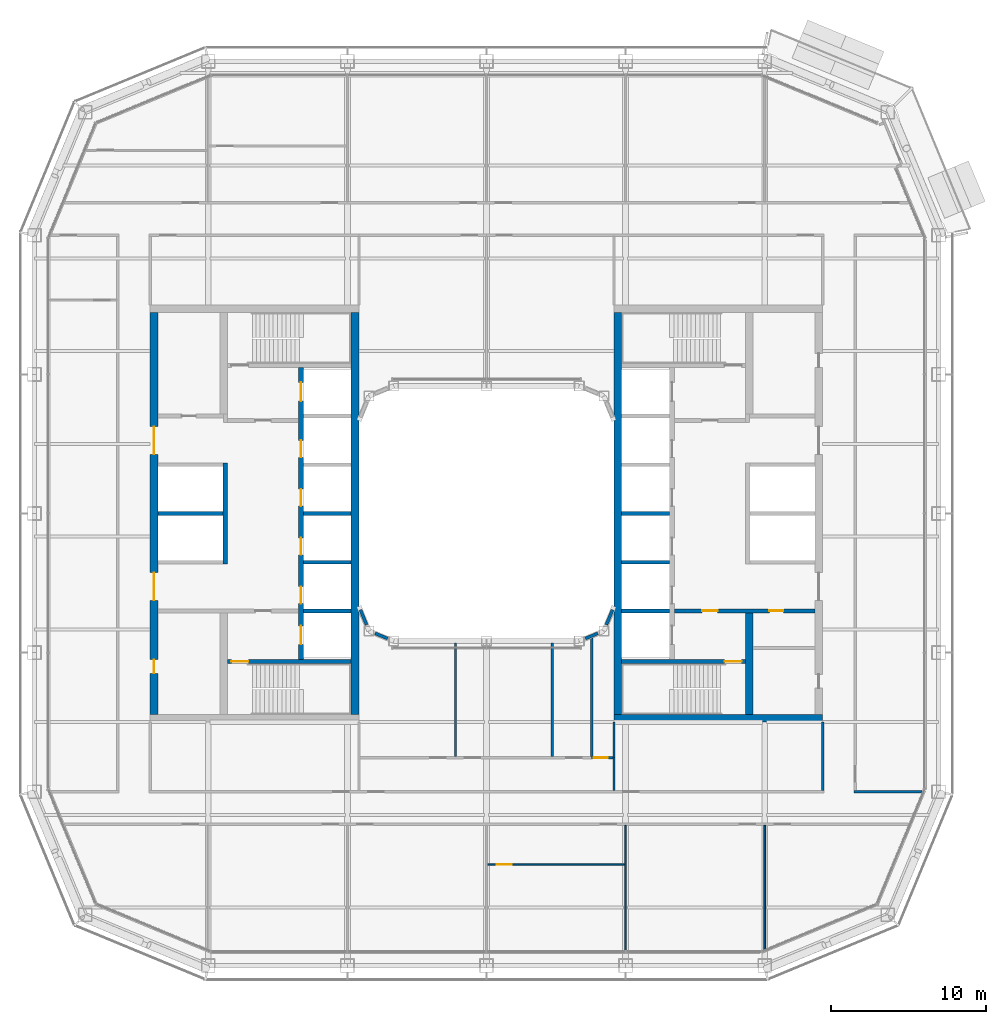
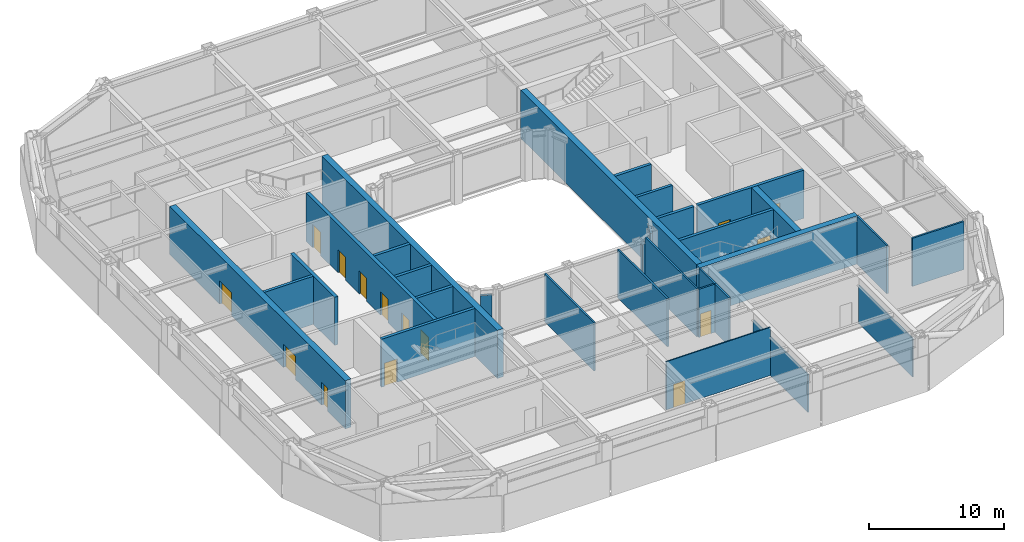
# One storey, part 12 of 23: 32 walls, 15 doors, 15 openings.
"""IFC4 building model written with IfcOpenShell, lengths in metres."""

from ifc_helpers import new_model, si_unit, direction, frame, frame_2d, origin, place, context, subcontext, project, spatial, rectangle, extrude, material, layer, layer_set, type_object, element, fill, save


model = new_model("IFC4")

# Units and contexts
model_context = context("Model", 3, precision=1e-05, world=origin(), true_north=direction((0.0, 1.0)))
body_context = subcontext(model_context, "Body", "Model", "MODEL_VIEW")
ifc_project = project(units=[si_unit("LENGTHUNIT", "METRE"), si_unit("AREAUNIT", "SQUARE_METRE"), si_unit("VOLUMEUNIT", "CUBIC_METRE"), si_unit("PLANEANGLEUNIT", "RADIAN"), si_unit("MASSUNIT", "GRAM", prefix="KILO")], contexts=[model_context])

# Site, building, storey
site_placement = place(None, origin())
site = spatial("IfcSite", under=ifc_project, at=site_placement, CompositionType="ELEMENT")
building_placement = place(site_placement, origin())
building = spatial("IfcBuilding", under=site, at=building_placement, Name="Siwar Civic Tower", CompositionType="ELEMENT")
storey_placement = place(building_placement, frame((0.0, 0.0, 167.699951171875)))
storey = spatial("IfcBuildingStorey", under=building, at=storey_placement, Name="L36", CompositionType="ELEMENT", Elevation=167.699951171875)

# Wall, opening, door
ifc_material_1 = material(Name="Gypsum board on steel studs", Category="steel")
ifc_layer_1 = layer(ifc_material_1, 0.14990234375)
ifc_layer_set_1 = layer_set([ifc_layer_1], Name="Gypsum board on steel studs")
wall_type_1 = type_object("IfcWallType", Name="COMPARTMENT PARTITION 150 EI 60", PredefinedType="PARTITIONING", material=ifc_layer_set_1)
wall_1_placement = place(storey_placement, frame((6.800048828125, -15.800048828125, 0.0), z_axis=(0.0, 0.0, 1.0), x_axis=(1.0, 0.0, 0.0)))
wall_1 = element("IfcWall", 1, at=wall_1_placement, inside=storey, type_object=wall_type_1, Name="L36/wall/P07", PredefinedType="PARTITIONING", context=body_context, shape_type="SweptSolid", body=[
    extrude(rectangle(XDim=1.375, YDim=0.14990234375, at=frame_2d((0.6875, 0.0))), origin(), (0.0, 0.0, 1.0), 4.35009765625),
])
opening_1_placement = place(wall_1_placement, frame((0.14990234375, 0.0, 0.0)))
opening_1 = element("IfcOpeningElement", 2, at=opening_1_placement, cuts=wall_1, Name="Opening D4", PredefinedType="OPENING", context=body_context, shape_type="SweptSolid", body=[
    extrude(rectangle(XDim=0.89990234375, YDim=2.10009765625, at=frame_2d((0.449951171875, 1.050048828125))), frame((0.0, 0.0849609375, 0.0), z_axis=(0.0, -1.0, 0.0), x_axis=(1.0, 0.0, 0.0)), (0.0, 0.0, 1.0), 0.169921875),
])
ifc_material_2 = material(Name="Timber, painted", Category="wood")
door_type_1 = type_object("IfcDoorType", Name="DOOR 900 X 2100 FD60", OperationType="SINGLE_SWING_LEFT", PredefinedType="DOOR", material=ifc_material_2)
door_1_placement = place(opening_1_placement, origin())
door_1 = element("IfcDoor", 3, at=door_1_placement, inside=storey, type_object=door_type_1, Name="L36-D22", OperationType="SINGLE_SWING_RIGHT", OverallHeight=2.10009765625, OverallWidth=0.89990234375, PredefinedType="DOOR", context=body_context, shape_type="SweptSolid", body=[
    extrude(rectangle(XDim=0.89990234375, YDim=2.10009765625, at=frame_2d((0.449951171875, 1.050048828125))), frame((0.0, 0.02490234375, 0.0), z_axis=(0.0, -1.0, 0.0), x_axis=(1.0, 0.0, 0.0)), (0.0, 0.0, 1.0), 0.050048828125),
])
fill(opening_1, door_1)

# Walls
wall_2_placement = place(storey_placement, frame((6.800048828125, -15.72509765625, 0.0), z_axis=(0.0, 0.0, 1.0), x_axis=(0.0, 1.0, 0.0)))
element("IfcWall", 4, at=wall_2_placement, inside=storey, type_object=wall_type_1, Name="L36/wall/P31", PredefinedType="PARTITIONING", context=body_context, shape_type="SweptSolid", body=[
    extrude(rectangle(XDim=7.656005859375, YDim=0.14990234375, at=frame_2d((3.828125, 0.0))), origin(), (0.0, 0.0, 1.0), 4.35009765625),
])
wall_3_placement = place(storey_placement, frame((8.25, -15.800048828125, 0.0), z_axis=(0.0, 0.0, 1.0), x_axis=(0.0, 1.0, 0.0)))
element("IfcWall", 5, at=wall_3_placement, inside=storey, type_object=wall_type_1, Name="L36/wall/P34", PredefinedType="PARTITIONING", context=body_context, shape_type="SweptSolid", body=[
    extrude(rectangle(XDim=2.300048828125, YDim=0.14990234375, at=frame_2d((1.14990234375, 0.0))), origin(), (0.0, 0.0, 1.0), 4.35009765625),
])
ifc_material_3 = material(Name="Concrete C60/75", Category="concrete")
ifc_layer_2 = layer(ifc_material_3, 0.25)
ifc_layer_set_2 = layer_set([ifc_layer_2], Name="Concrete C60/75")
wall_type_2 = type_object("IfcWallType", Name="CORE-WALL-RC250", PredefinedType="SHEAR", material=ifc_layer_set_2)
wall_4_placement = place(storey_placement, frame((-17.050048828125, 0.0, 0.0), z_axis=(0.0, 0.0, 1.0), x_axis=(-1.0, 0.0, 0.0)))
element("IfcWall", 6, at=wall_4_placement, inside=storey, type_object=wall_type_2, Name="Core wall W", PredefinedType="SHEAR", context=body_context, shape_type="SweptSolid", body=[
    extrude(rectangle(XDim=4.199951171875, YDim=0.25, at=frame_2d((2.10009765625, 0.0))), origin(), (0.0, 0.0, 1.0), 4.35009765625),
])
for number, where, z_axis, x_axis, name in (
    (7, (-8.75, 0.0, 0.0), (0.0, 0.0, 1.0), (-1.0, 0.0, 0.0), "Core wall W"),
    (8, (-8.75, -3.14990234375, 0.0), (0.0, 0.0, 1.0), (-1.0, 0.0, 0.0), "Core wall W"),
    (9, (-8.75, -6.300048828125, 0.0), (0.0, 0.0, 1.0), (-1.0, 0.0, 0.0), "Core wall W"),
):
    element("IfcWall", number, at=place(storey_placement, frame(where, z_axis=z_axis, x_axis=x_axis)), inside=storey, type_object=wall_type_2, Name=name, PredefinedType="SHEAR", context=body_context, shape_type="SweptSolid", body=[
        extrude(rectangle(XDim=3.10009765625, YDim=0.25, at=frame_2d((1.550048828125, 0.0))), origin(), (0.0, 0.0, 1.0), 4.35009765625),
    ])

# Wall, opening, door
wall_5_placement = place(storey_placement, frame((-8.75, -9.574951171875, 0.0), z_axis=(0.0, 0.0, 1.0), x_axis=(-1.0, 0.0, 0.0)))
wall_5 = element("IfcWall", 10, at=wall_5_placement, inside=storey, type_object=wall_type_2, Name="Core wall W", PredefinedType="SHEAR", context=body_context, shape_type="SweptSolid", body=[
    extrude(rectangle(XDim=8.0, YDim=0.25, at=frame_2d((4.0, 0.0))), origin(), (0.0, 0.0, 1.0), 4.35009765625),
])
opening_2_placement = place(wall_5_placement, frame((6.64990234375, 0.0, 0.0)))
opening_2 = element("IfcOpeningElement", 11, at=opening_2_placement, cuts=wall_5, Name="Opening L36-CW04", PredefinedType="OPENING", context=body_context, shape_type="SweptSolid", body=[
    extrude(rectangle(XDim=1.10009765625, YDim=2.10009765625, at=frame_2d((0.550048828125, 1.050048828125))), frame((0.0, 0.135009765625, 0.0), z_axis=(0.0, -1.0, 0.0), x_axis=(1.0, 0.0, 0.0)), (0.0, 0.0, 1.0), 0.27001953125),
])
ifc_material_4 = material(Name="Steel door leaf", Category="steel")
door_type_2 = type_object("IfcDoorType", Name="CORE-DOOR-FD60S", OperationType="SINGLE_SWING_LEFT", PredefinedType="DOOR", material=ifc_material_4)
door_2_placement = place(opening_2_placement, origin())
door_2 = element("IfcDoor", 12, at=door_2_placement, inside=storey, type_object=door_type_2, Name="Stair door L36-CW04", OperationType="SINGLE_SWING_LEFT", OverallHeight=2.10009765625, OverallWidth=1.10009765625, PredefinedType="DOOR", context=body_context, shape_type="SweptSolid", body=[
    extrude(rectangle(XDim=1.10009765625, YDim=2.10009765625, at=frame_2d((0.550048828125, 1.050048828125))), frame((0.0, 0.02490234375, 0.0), z_axis=(0.0, -1.0, 0.0), x_axis=(1.0, 0.0, 0.0)), (0.0, 0.0, 1.0), 0.050048828125),
])
fill(opening_2, door_2)

# Wall, openings, doors
wall_6_placement = place(storey_placement, frame((12.14990234375, -6.300048828125, 0.0), z_axis=(0.0, 0.0, 1.0), x_axis=(1.0, 0.0, 0.0)))
wall_6 = element("IfcWall", 13, at=wall_6_placement, inside=storey, type_object=wall_type_2, Name="Core wall E", PredefinedType="SHEAR", context=body_context, shape_type="SweptSolid", body=[
    extrude(rectangle(XDim=9.10009765625, YDim=0.25, at=frame_2d((4.550048828125, 0.0))), origin(), (0.0, 0.0, 1.0), 4.35009765625),
])
opening_3_placement = place(wall_6_placement, frame((1.800048828125, 0.0, 0.0)))
opening_3 = element("IfcOpeningElement", 14, at=opening_3_placement, cuts=wall_6, Name="Opening L36-CE02", PredefinedType="OPENING", context=body_context, shape_type="SweptSolid", body=[
    extrude(rectangle(XDim=1.0, YDim=2.10009765625, at=frame_2d((0.5, 1.050048828125))), frame((0.0, 0.135009765625, 0.0), z_axis=(0.0, -1.0, 0.0), x_axis=(1.0, 0.0, 0.0)), (0.0, 0.0, 1.0), 0.27001953125),
])
opening_4_placement = place(wall_6_placement, frame((6.14990234375, 0.0, 0.0)))
opening_4 = element("IfcOpeningElement", 15, at=opening_4_placement, cuts=wall_6, Name="Opening L36-CE14", PredefinedType="OPENING", context=body_context, shape_type="SweptSolid", body=[
    extrude(rectangle(XDim=0.89990234375, YDim=2.10009765625, at=frame_2d((0.449951171875, 1.050048828125))), frame((0.0, 0.135009765625, 0.0), z_axis=(0.0, -1.0, 0.0), x_axis=(1.0, 0.0, 0.0)), (0.0, 0.0, 1.0), 0.27001953125),
])
ifc_material_5 = material(Name="Steel door leaf", Category="steel")
door_type_3 = type_object("IfcDoorType", Name="CORE-DOOR-FD30S", OperationType="SINGLE_SWING_LEFT", PredefinedType="DOOR", material=ifc_material_5)
door_3_placement = place(opening_3_placement, origin())
door_3 = element("IfcDoor", 16, at=door_3_placement, inside=storey, type_object=door_type_3, Name="Service lobby door L36-CE02", OperationType="SINGLE_SWING_LEFT", OverallHeight=2.10009765625, OverallWidth=1.0, PredefinedType="DOOR", context=body_context, shape_type="SweptSolid", body=[
    extrude(rectangle(XDim=1.0, YDim=2.10009765625, at=frame_2d((0.5, 1.050048828125))), frame((0.0, 0.02490234375, 0.0), z_axis=(0.0, -1.0, 0.0), x_axis=(1.0, 0.0, 0.0)), (0.0, 0.0, 1.0), 0.050048828125),
])
fill(opening_3, door_3)
ifc_material_6 = material(Name="Steel door leaf", Category="steel")
door_type_4 = type_object("IfcDoorType", Name="CORE-DOOR-ROOM", OperationType="SINGLE_SWING_LEFT", PredefinedType="DOOR", material=ifc_material_6)
door_4_placement = place(opening_4_placement, origin())
door_4 = element("IfcDoor", 17, at=door_4_placement, inside=storey, type_object=door_type_4, Name="Core room door L36-CE14", OperationType="SINGLE_SWING_LEFT", OverallHeight=2.10009765625, OverallWidth=0.89990234375, PredefinedType="DOOR", context=body_context, shape_type="SweptSolid", body=[
    extrude(rectangle(XDim=0.89990234375, YDim=2.10009765625, at=frame_2d((0.449951171875, 1.050048828125))), frame((0.0, 0.02490234375, 0.0), z_axis=(0.0, -1.0, 0.0), x_axis=(1.0, 0.0, 0.0)), (0.0, 0.0, 1.0), 0.050048828125),
])
fill(opening_4, door_4)

# Walls
for number, where, z_axis, x_axis, name in (
    (18, (8.75, 0.0, 0.0), (0.0, 0.0, 1.0), (1.0, 0.0, 0.0), "Core wall E"),
    (19, (8.75, -3.14990234375, 0.0), (0.0, 0.0, 1.0), (1.0, 0.0, 0.0), "Core wall E"),
    (20, (8.75, -6.300048828125, 0.0), (0.0, 0.0, 1.0), (1.0, 0.0, 0.0), "Core wall E"),
):
    element("IfcWall", number, at=place(storey_placement, frame(where, z_axis=z_axis, x_axis=x_axis)), inside=storey, type_object=wall_type_2, Name=name, PredefinedType="SHEAR", context=body_context, shape_type="SweptSolid", body=[
        extrude(rectangle(XDim=3.10009765625, YDim=0.25, at=frame_2d((1.550048828125, 0.0))), origin(), (0.0, 0.0, 1.0), 4.35009765625),
    ])

# Wall, opening, door
wall_7_placement = place(storey_placement, frame((8.75, -9.574951171875, 0.0), z_axis=(0.0, 0.0, 1.0), x_axis=(1.0, 0.0, 0.0)))
wall_7 = element("IfcWall", 21, at=wall_7_placement, inside=storey, type_object=wall_type_2, Name="Core wall E", PredefinedType="SHEAR", context=body_context, shape_type="SweptSolid", body=[
    extrude(rectangle(XDim=8.0, YDim=0.25, at=frame_2d((4.0, 0.0))), origin(), (0.0, 0.0, 1.0), 4.35009765625),
])
opening_5_placement = place(wall_7_placement, frame((6.64990234375, 0.0, 0.0)))
opening_5 = element("IfcOpeningElement", 22, at=opening_5_placement, cuts=wall_7, Name="Opening L36-CE04", PredefinedType="OPENING", context=body_context, shape_type="SweptSolid", body=[
    extrude(rectangle(XDim=1.10009765625, YDim=2.10009765625, at=frame_2d((0.550048828125, 1.050048828125))), frame((0.0, 0.135009765625, 0.0), z_axis=(0.0, -1.0, 0.0), x_axis=(1.0, 0.0, 0.0)), (0.0, 0.0, 1.0), 0.27001953125),
])
door_5_placement = place(opening_5_placement, origin())
door_5 = element("IfcDoor", 23, at=door_5_placement, inside=storey, type_object=door_type_2, Name="Stair door L36-CE04", OperationType="SINGLE_SWING_RIGHT", OverallHeight=2.10009765625, OverallWidth=1.10009765625, PredefinedType="DOOR", context=body_context, shape_type="SweptSolid", body=[
    extrude(rectangle(XDim=1.10009765625, YDim=2.10009765625, at=frame_2d((0.550048828125, 1.050048828125))), frame((0.0, 0.02490234375, 0.0), z_axis=(0.0, -1.0, 0.0), x_axis=(1.0, 0.0, 0.0)), (0.0, 0.0, 1.0), 0.050048828125),
])
fill(opening_5, door_5)

# Wall, openings, doors
ifc_material_7 = material(Name="Concrete C60/75", Category="concrete")
ifc_layer_3 = layer(ifc_material_7, 0.300048828125)
ifc_layer_set_3 = layer_set([ifc_layer_3], Name="Concrete C60/75")
wall_type_3 = type_object("IfcWallType", Name="CORE-WALL-RC300", PredefinedType="SHEAR", material=ifc_layer_set_3)
wall_8_placement = place(storey_placement, frame((-12.0, -9.449951171875, 0.0), z_axis=(0.0, 0.0, 1.0), x_axis=(0.0, 1.0, 0.0)))
wall_8 = element("IfcWall", 24, at=wall_8_placement, inside=storey, type_object=wall_type_3, Name="Core wall W", PredefinedType="SHEAR", context=body_context, shape_type="SweptSolid", body=[
    extrude(rectangle(XDim=18.89990234375, YDim=0.300048828125, at=frame_2d((9.449951171875, 0.0))), origin(), (0.0, 0.0, 1.0), 4.35009765625),
])
opening_6_placement = place(wall_8_placement, frame((3.625, 0.0, 0.0)))
opening_6 = element("IfcOpeningElement", 25, at=opening_6_placement, cuts=wall_8, Name="Opening L36-CW07", PredefinedType="OPENING", context=body_context, shape_type="SweptSolid", body=[
    extrude(rectangle(XDim=1.10009765625, YDim=2.10009765625, at=frame_2d((0.550048828125, 1.050048828125))), frame((0.0, 0.16015625, 0.0), z_axis=(0.0, -1.0, 0.0), x_axis=(1.0, 0.0, 0.0)), (0.0, 0.0, 1.0), 0.320068359375),
])
opening_7_placement = place(wall_8_placement, frame((6.77490234375, 0.0, 0.0)))
opening_7 = element("IfcOpeningElement", 26, at=opening_7_placement, cuts=wall_8, Name="Opening L36-CW08", PredefinedType="OPENING", context=body_context, shape_type="SweptSolid", body=[
    extrude(rectangle(XDim=1.10009765625, YDim=2.10009765625, at=frame_2d((0.550048828125, 1.050048828125))), frame((0.0, 0.16015625, 0.0), z_axis=(0.0, -1.0, 0.0), x_axis=(1.0, 0.0, 0.0)), (0.0, 0.0, 1.0), 0.320068359375),
])
opening_8_placement = place(wall_8_placement, frame((9.925048828125, 0.0, 0.0)))
opening_8 = element("IfcOpeningElement", 27, at=opening_8_placement, cuts=wall_8, Name="Opening L36-CW09", PredefinedType="OPENING", context=body_context, shape_type="SweptSolid", body=[
    extrude(rectangle(XDim=1.10009765625, YDim=2.10009765625, at=frame_2d((0.550048828125, 1.050048828125))), frame((0.0, 0.16015625, 0.0), z_axis=(0.0, -1.0, 0.0), x_axis=(1.0, 0.0, 0.0)), (0.0, 0.0, 1.0), 0.320068359375),
])
opening_9_placement = place(wall_8_placement, frame((13.074951171875, 0.0, 0.0)))
opening_9 = element("IfcOpeningElement", 28, at=opening_9_placement, cuts=wall_8, Name="Opening L36-CW10", PredefinedType="OPENING", context=body_context, shape_type="SweptSolid", body=[
    extrude(rectangle(XDim=1.10009765625, YDim=2.10009765625, at=frame_2d((0.550048828125, 1.050048828125))), frame((0.0, 0.16015625, 0.0), z_axis=(0.0, -1.0, 0.0), x_axis=(1.0, 0.0, 0.0)), (0.0, 0.0, 1.0), 0.320068359375),
])
opening_10_placement = place(wall_8_placement, frame((16.72509765625, 0.0, 0.0)))
opening_10 = element("IfcOpeningElement", 29, at=opening_10_placement, cuts=wall_8, Name="Opening L36-CW11", PredefinedType="OPENING", context=body_context, shape_type="SweptSolid", body=[
    extrude(rectangle(XDim=1.199951171875, YDim=2.10009765625, at=frame_2d((0.60009765625, 1.050048828125))), frame((0.0, 0.16015625, 0.0), z_axis=(0.0, -1.0, 0.0), x_axis=(1.0, 0.0, 0.0)), (0.0, 0.0, 1.0), 0.320068359375),
])
opening_11_placement = place(wall_8_placement, frame((0.97509765625, 0.0, 0.0)))
opening_11 = element("IfcOpeningElement", 30, at=opening_11_placement, cuts=wall_8, Name="Opening L36-CW12", PredefinedType="OPENING", context=body_context, shape_type="SweptSolid", body=[
    extrude(rectangle(XDim=1.199951171875, YDim=2.10009765625, at=frame_2d((0.60009765625, 1.050048828125))), frame((0.0, 0.16015625, 0.0), z_axis=(0.0, -1.0, 0.0), x_axis=(1.0, 0.0, 0.0)), (0.0, 0.0, 1.0), 0.320068359375),
])
ifc_material_8 = material(Name="Steel door leaf", Category="steel")
door_type_5 = type_object("IfcDoorType", Name="CORE-DOOR-LD", OperationType="DOUBLE_DOOR_SLIDING", PredefinedType="DOOR", material=ifc_material_8)
door_6_placement = place(opening_6_placement, origin())
door_6 = element("IfcDoor", 31, at=door_6_placement, inside=storey, type_object=door_type_5, Name="Landing door LR1 L36-CW07", OperationType="DOUBLE_DOOR_SLIDING", OverallHeight=2.10009765625, OverallWidth=1.10009765625, PredefinedType="DOOR", context=body_context, shape_type="SweptSolid", body=[
    extrude(rectangle(XDim=1.10009765625, YDim=2.10009765625, at=frame_2d((0.550048828125, 1.050048828125))), frame((0.0, 0.02490234375, 0.0), z_axis=(0.0, -1.0, 0.0), x_axis=(1.0, 0.0, 0.0)), (0.0, 0.0, 1.0), 0.050048828125),
])
fill(opening_6, door_6)
door_7_placement = place(opening_7_placement, origin())
door_7 = element("IfcDoor", 32, at=door_7_placement, inside=storey, type_object=door_type_5, Name="Landing door LR2 L36-CW08", OperationType="DOUBLE_DOOR_SLIDING", OverallHeight=2.10009765625, OverallWidth=1.10009765625, PredefinedType="DOOR", context=body_context, shape_type="SweptSolid", body=[
    extrude(rectangle(XDim=1.10009765625, YDim=2.10009765625, at=frame_2d((0.550048828125, 1.050048828125))), frame((0.0, 0.02490234375, 0.0), z_axis=(0.0, -1.0, 0.0), x_axis=(1.0, 0.0, 0.0)), (0.0, 0.0, 1.0), 0.050048828125),
])
fill(opening_7, door_7)
door_8_placement = place(opening_8_placement, origin())
door_8 = element("IfcDoor", 33, at=door_8_placement, inside=storey, type_object=door_type_5, Name="Landing door LR3 L36-CW09", OperationType="DOUBLE_DOOR_SLIDING", OverallHeight=2.10009765625, OverallWidth=1.10009765625, PredefinedType="DOOR", context=body_context, shape_type="SweptSolid", body=[
    extrude(rectangle(XDim=1.10009765625, YDim=2.10009765625, at=frame_2d((0.550048828125, 1.050048828125))), frame((0.0, 0.02490234375, 0.0), z_axis=(0.0, -1.0, 0.0), x_axis=(1.0, 0.0, 0.0)), (0.0, 0.0, 1.0), 0.050048828125),
])
fill(opening_8, door_8)
door_9_placement = place(opening_9_placement, origin())
door_9 = element("IfcDoor", 34, at=door_9_placement, inside=storey, type_object=door_type_5, Name="Landing door LR4 L36-CW10", OperationType="DOUBLE_DOOR_SLIDING", OverallHeight=2.10009765625, OverallWidth=1.10009765625, PredefinedType="DOOR", context=body_context, shape_type="SweptSolid", body=[
    extrude(rectangle(XDim=1.10009765625, YDim=2.10009765625, at=frame_2d((0.550048828125, 1.050048828125))), frame((0.0, 0.02490234375, 0.0), z_axis=(0.0, -1.0, 0.0), x_axis=(1.0, 0.0, 0.0)), (0.0, 0.0, 1.0), 0.050048828125),
])
fill(opening_9, door_9)
ifc_material_9 = material(Name="Steel door leaf", Category="steel")
door_type_6 = type_object("IfcDoorType", Name="CORE-DOOR-LDW", OperationType="DOUBLE_DOOR_SLIDING", PredefinedType="DOOR", material=ifc_material_9)
door_10_placement = place(opening_10_placement, origin())
door_10 = element("IfcDoor", 35, at=door_10_placement, inside=storey, type_object=door_type_6, Name="Landing door FF1 L36-CW11", OperationType="DOUBLE_DOOR_SLIDING", OverallHeight=2.10009765625, OverallWidth=1.199951171875, PredefinedType="DOOR", context=body_context, shape_type="SweptSolid", body=[
    extrude(rectangle(XDim=1.199951171875, YDim=2.10009765625, at=frame_2d((0.60009765625, 1.050048828125))), frame((0.0, 0.02490234375, 0.0), z_axis=(0.0, -1.0, 0.0), x_axis=(1.0, 0.0, 0.0)), (0.0, 0.0, 1.0), 0.050048828125),
])
fill(opening_10, door_10)
door_11_placement = place(opening_11_placement, origin())
door_11 = element("IfcDoor", 36, at=door_11_placement, inside=storey, type_object=door_type_6, Name="Landing door SV1 L36-CW12", OperationType="DOUBLE_DOOR_SLIDING", OverallHeight=2.10009765625, OverallWidth=1.199951171875, PredefinedType="DOOR", context=body_context, shape_type="SweptSolid", body=[
    extrude(rectangle(XDim=1.199951171875, YDim=2.10009765625, at=frame_2d((0.60009765625, 1.050048828125))), frame((0.0, 0.02490234375, 0.0), z_axis=(0.0, -1.0, 0.0), x_axis=(1.0, 0.0, 0.0)), (0.0, 0.0, 1.0), 0.050048828125),
])
fill(opening_11, door_11)

# Wall
wall_9_placement = place(storey_placement, frame((-16.89990234375, -3.27490234375, 0.0), z_axis=(0.0, 0.0, 1.0), x_axis=(0.0, 1.0, 0.0)))
element("IfcWall", 37, at=wall_9_placement, inside=storey, type_object=wall_type_3, Name="Core wall W", PredefinedType="SHEAR", context=body_context, shape_type="SweptSolid", body=[
    extrude(rectangle(XDim=6.5498046875, YDim=0.300048828125, at=frame_2d((3.27490234375, 0.0))), origin(), (0.0, 0.0, 1.0), 4.35009765625),
])

# Wall, openings, doors
ifc_material_10 = material(Name="Concrete C60/75", Category="concrete")
ifc_layer_4 = layer(ifc_material_10, 0.5)
ifc_layer_set_4 = layer_set([ifc_layer_4], Name="Concrete C60/75")
wall_type_4 = type_object("IfcWallType", Name="CORE-WALL-RC500", PredefinedType="SHEAR", material=ifc_layer_set_4)
wall_10_placement = place(storey_placement, frame((-21.5, -13.0, 0.0), z_axis=(0.0, 0.0, 1.0), x_axis=(0.0, 1.0, 0.0)))
wall_10 = element("IfcWall", 38, at=wall_10_placement, inside=storey, type_object=wall_type_4, Name="Core wall W", PredefinedType="SHEAR", context=body_context, shape_type="SweptSolid", body=[
    extrude(rectangle(XDim=26.0, YDim=0.5, at=frame_2d((13.0, 0.0))), origin(), (0.0, 0.0, 1.0), 4.35009765625),
])
opening_12_placement = place(wall_10_placement, frame((16.824951171875, 0.0, 0.0)))
opening_12 = element("IfcOpeningElement", 39, at=opening_12_placement, cuts=wall_10, Name="Opening L36-CW05", PredefinedType="OPENING", context=body_context, shape_type="SweptSolid", body=[
    extrude(rectangle(XDim=1.800048828125, YDim=2.10009765625, at=frame_2d((0.89990234375, 1.050048828125))), frame((0.0, 0.260009765625, 0.0), z_axis=(0.0, -1.0, 0.0), x_axis=(1.0, 0.0, 0.0)), (0.0, 0.0, 1.0), 0.52001953125),
])
opening_13_placement = place(wall_10_placement, frame((7.375, 0.0, 0.0)))
opening_13 = element("IfcOpeningElement", 40, at=opening_13_placement, cuts=wall_10, Name="Opening L36-CW06", PredefinedType="OPENING", context=body_context, shape_type="SweptSolid", body=[
    extrude(rectangle(XDim=1.800048828125, YDim=2.10009765625, at=frame_2d((0.89990234375, 1.050048828125))), frame((0.0, 0.260009765625, 0.0), z_axis=(0.0, -1.0, 0.0), x_axis=(1.0, 0.0, 0.0)), (0.0, 0.0, 1.0), 0.52001953125),
])
opening_14_placement = place(wall_10_placement, frame((2.64990234375, 0.0, 0.0)))
opening_14 = element("IfcOpeningElement", 41, at=opening_14_placement, cuts=wall_10, Name="Opening L36-CW14", PredefinedType="OPENING", context=body_context, shape_type="SweptSolid", body=[
    extrude(rectangle(XDim=0.89990234375, YDim=2.10009765625, at=frame_2d((0.449951171875, 1.050048828125))), frame((0.0, 0.260009765625, 0.0), z_axis=(0.0, -1.0, 0.0), x_axis=(1.0, 0.0, 0.0)), (0.0, 0.0, 1.0), 0.52001953125),
])
ifc_material_11 = material(Name="Steel door leaf", Category="steel")
door_type_7 = type_object("IfcDoorType", Name="CORE-DOOR-PORT", OperationType="DOUBLE_DOOR_DOUBLE_SWING", PredefinedType="DOOR", material=ifc_material_11)
door_12_placement = place(opening_12_placement, origin())
door_12 = element("IfcDoor", 42, at=door_12_placement, inside=storey, type_object=door_type_7, Name="Core entrance door L36-CW05", OperationType="DOUBLE_DOOR_DOUBLE_SWING", OverallHeight=2.10009765625, OverallWidth=1.800048828125, PredefinedType="DOOR", context=body_context, shape_type="SweptSolid", body=[
    extrude(rectangle(XDim=1.800048828125, YDim=2.10009765625, at=frame_2d((0.89990234375, 1.050048828125))), frame((0.0, 0.02490234375, 0.0), z_axis=(0.0, -1.0, 0.0), x_axis=(1.0, 0.0, 0.0)), (0.0, 0.0, 1.0), 0.050048828125),
])
fill(opening_12, door_12)
door_13_placement = place(opening_13_placement, origin())
door_13 = element("IfcDoor", 43, at=door_13_placement, inside=storey, type_object=door_type_7, Name="Core entrance door L36-CW06", OperationType="DOUBLE_DOOR_DOUBLE_SWING", OverallHeight=2.10009765625, OverallWidth=1.800048828125, PredefinedType="DOOR", context=body_context, shape_type="SweptSolid", body=[
    extrude(rectangle(XDim=1.800048828125, YDim=2.10009765625, at=frame_2d((0.89990234375, 1.050048828125))), frame((0.0, 0.02490234375, 0.0), z_axis=(0.0, -1.0, 0.0), x_axis=(1.0, 0.0, 0.0)), (0.0, 0.0, 1.0), 0.050048828125),
])
fill(opening_13, door_13)
door_14_placement = place(opening_14_placement, origin())
door_14 = element("IfcDoor", 44, at=door_14_placement, inside=storey, type_object=door_type_4, Name="Core room door L36-CW14", OperationType="SINGLE_SWING_LEFT", OverallHeight=2.10009765625, OverallWidth=0.89990234375, PredefinedType="DOOR", context=body_context, shape_type="SweptSolid", body=[
    extrude(rectangle(XDim=0.89990234375, YDim=2.10009765625, at=frame_2d((0.449951171875, 1.050048828125))), frame((0.0, 0.02490234375, 0.0), z_axis=(0.0, -1.0, 0.0), x_axis=(1.0, 0.0, 0.0)), (0.0, 0.0, 1.0), 0.050048828125),
])
fill(opening_14, door_14)

# Walls
wall_11_placement = place(storey_placement, frame((17.0, -13.0, 0.0), z_axis=(0.0, 0.0, 1.0), x_axis=(0.0, 1.0, 0.0)))
element("IfcWall", 45, at=wall_11_placement, inside=storey, type_object=wall_type_4, Name="Core wall E", PredefinedType="SHEAR", context=body_context, shape_type="SweptSolid", body=[
    extrude(rectangle(XDim=6.574951171875, YDim=0.5, at=frame_2d((3.28759765625, 0.0))), origin(), (0.0, 0.0, 1.0), 4.35009765625),
])
wall_12_placement = place(storey_placement, frame((8.25, -13.25, 0.0), z_axis=(0.0, 0.0, 1.0), x_axis=(1.0, 0.0, 0.0)))
element("IfcWall", 46, at=wall_12_placement, inside=storey, type_object=wall_type_4, Name="Core wall E", PredefinedType="SHEAR", context=body_context, shape_type="SweptSolid", body=[
    extrude(rectangle(XDim=13.5, YDim=0.5, at=frame_2d((6.75, 0.0))), origin(), (0.0, 0.0, 1.0), 4.35009765625),
])
ifc_material_12 = material(Name="Concrete C60/75", Category="concrete")
ifc_layer_5 = layer(ifc_material_12, 0.5)
ifc_layer_set_5 = layer_set([ifc_layer_5], Name="Concrete C60/75")
wall_type_5 = type_object("IfcWallType", Name="CORE-WALL-RC500-EXT", PredefinedType="SHEAR", material=ifc_layer_set_5)
for number, where, z_axis, x_axis, name in (
    (47, (-8.5, -13.0, 0.0), (0.0, 0.0, 1.0), (0.0, 1.0, 0.0), "Core wall W"),
    (48, (8.5, -13.0, 0.0), (0.0, 0.0, 1.0), (0.0, 1.0, 0.0), "Core wall E"),
):
    element("IfcWall", number, at=place(storey_placement, frame(where, z_axis=z_axis, x_axis=x_axis)), inside=storey, type_object=wall_type_5, Name=name, PredefinedType="SHEAR", context=body_context, shape_type="SweptSolid", body=[
        extrude(rectangle(XDim=26.0, YDim=0.5, at=frame_2d((13.0, 0.0))), origin(), (0.0, 0.0, 1.0), 4.35009765625),
    ])
ifc_material_13 = material(Name="Gypsum board on steel studs", Category="steel")
ifc_layer_6 = layer(ifc_material_13, 0.14990234375)
ifc_layer_set_6 = layer_set([ifc_layer_6], Name="Gypsum board on steel studs")
wall_type_6 = type_object("IfcWallType", Name="CORRIDOR PARTITION 150 EI 30", PredefinedType="PARTITIONING", material=ifc_layer_set_6)
wall_13_placement = place(storey_placement, frame((23.77490234375, -18.0, 0.0), z_axis=(0.0, 0.0, 1.0), x_axis=(1.0, 0.0, 0.0)))
element("IfcWall", 49, at=wall_13_placement, inside=storey, type_object=wall_type_6, Name="L36/wall/P05", PredefinedType="PARTITIONING", context=body_context, shape_type="SweptSolid", body=[
    extrude(rectangle(XDim=4.403076171875, YDim=0.14990234375, at=frame_2d((2.20166015625, 0.0))), origin(), (0.0, 0.0, 1.0), 4.35009765625),
])
for number, where, z_axis, x_axis, name in (
    (50, (-2.0, -15.72509765625, 0.0), (0.0, 0.0, 1.0), (0.0, 1.0, 0.0), "L36/wall/P26"),
    (51, (4.25, -15.72509765625, 0.0), (0.0, 0.0, 1.0), (0.0, 1.0, 0.0), "L36/wall/P30"),
):
    element("IfcWall", number, at=place(storey_placement, frame(where, z_axis=z_axis, x_axis=x_axis)), inside=storey, type_object=wall_type_6, Name=name, PredefinedType="PARTITIONING", context=body_context, shape_type="SweptSolid", body=[
        extrude(rectangle(XDim=7.35498046875, YDim=0.14990234375, at=frame_2d((3.677490234375, 0.0))), origin(), (0.0, 0.0, 1.0), 4.35009765625),
    ])
wall_14_placement = place(storey_placement, frame((8.25, -17.925048828125, 0.0), z_axis=(0.0, 0.0, 1.0), x_axis=(0.0, 1.0, 0.0)))
element("IfcWall", 52, at=wall_14_placement, inside=storey, type_object=wall_type_6, Name="L36/wall/P33", PredefinedType="PARTITIONING", context=body_context, shape_type="SweptSolid", body=[
    extrude(rectangle(XDim=2.125, YDim=0.14990234375, at=frame_2d((1.0625, 0.0))), origin(), (0.0, 0.0, 1.0), 4.35009765625),
])
wall_15_placement = place(storey_placement, frame((21.75, -17.925048828125, 0.0), z_axis=(0.0, 0.0, 1.0), x_axis=(0.0, 1.0, 0.0)))
element("IfcWall", 53, at=wall_15_placement, inside=storey, type_object=wall_type_6, Name="L36/wall/P39", PredefinedType="PARTITIONING", context=body_context, shape_type="SweptSolid", body=[
    extrude(rectangle(XDim=4.425048828125, YDim=0.14990234375, at=frame_2d((2.21240234375, 0.0))), origin(), (0.0, 0.0, 1.0), 4.35009765625),
])
ifc_material_14 = material(Name="Aluminium clad insulated panel", Category="aluminium")
ifc_layer_7 = layer(ifc_material_14, 0.199951171875)
ifc_layer_set_7 = layer_set([ifc_layer_7], Name="Aluminium clad insulated panel")
wall_type_7 = type_object("IfcWallType", Name="ENV-WALL-WELL", PredefinedType="STANDARD", material=ifc_layer_set_7)
wall_16_placement = place(storey_placement, frame((6.392333984375, -8.08740234375, 0.0), z_axis=(0.0, 0.0, 1.0), x_axis=(0.923894108428, 0.382648241093, 0.0)))
element("IfcWall", 54, at=wall_16_placement, inside=storey, type_object=wall_type_7, Name="Light well corner wall SE1", PredefinedType="STANDARD", context=body_context, shape_type="SweptSolid", body=[
    extrude(rectangle(XDim=0.872802734375, YDim=0.199951171875, at=frame_2d((0.4365234375, 0.0))), origin(), (0.0, 0.0, 1.0), 3.825927734375),
])
for number, where, z_axis, x_axis, name in (
    (55, (7.75341796875, -7.19873046875, 0.0), (0.0, 0.0, 1.0), (0.382694858887, 0.923874799408, 0.0), "Light well corner wall SE2"),
    (56, (-8.154296875, -6.23095703125, 0.0), (0.0, 0.0, 1.0), (0.382694858887, -0.923874799408, 0.0), "Light well corner wall SW1"),
):
    element("IfcWall", number, at=place(storey_placement, frame(where, z_axis=z_axis, x_axis=x_axis)), inside=storey, type_object=wall_type_7, Name=name, PredefinedType="STANDARD", context=body_context, shape_type="SweptSolid", body=[
        extrude(rectangle(XDim=1.047607421875, YDim=0.199951171875, at=frame_2d((0.52392578125, 0.0))), origin(), (0.0, 0.0, 1.0), 3.825927734375),
    ])
wall_17_placement = place(storey_placement, frame((-7.19873046875, -7.75341796875, 0.0), z_axis=(0.0, 0.0, 1.0), x_axis=(0.923894108428, -0.382648241093, 0.0)))
element("IfcWall", 57, at=wall_17_placement, inside=storey, type_object=wall_type_7, Name="Light well corner wall SW2", PredefinedType="STANDARD", context=body_context, shape_type="SweptSolid", body=[
    extrude(rectangle(XDim=0.872802734375, YDim=0.199951171875, at=frame_2d((0.4365234375, 0.0))), origin(), (0.0, 0.0, 1.0), 3.825927734375),
])

# Wall, opening, door
ifc_material_15 = material(Name="Gypsum board on steel studs", Category="steel")
ifc_layer_8 = layer(ifc_material_15, 0.10009765625)
ifc_layer_set_8 = layer_set([ifc_layer_8], Name="Gypsum board on steel studs")
wall_type_8 = type_object("IfcWallType", Name="PARTITION 100 GYPSUM", PredefinedType="PARTITIONING", material=ifc_layer_set_8)
wall_18_placement = place(storey_placement, frame((0.050048828125, -22.699951171875, 0.0), z_axis=(0.0, 0.0, 1.0), x_axis=(1.0, 0.0, 0.0)))
wall_18 = element("IfcWall", 58, at=wall_18_placement, inside=storey, type_object=wall_type_8, Name="L36/wall/P01", PredefinedType="PARTITIONING", context=body_context, shape_type="SweptSolid", body=[
    extrude(rectangle(XDim=8.89990234375, YDim=0.10009765625, at=frame_2d((4.449951171875, 0.0))), origin(), (0.0, 0.0, 1.0), 4.35009765625),
])
opening_15_placement = place(wall_18_placement, frame((0.60009765625, 0.0, 0.0)))
opening_15 = element("IfcOpeningElement", 59, at=opening_15_placement, cuts=wall_18, Name="Opening D2", PredefinedType="OPENING", context=body_context, shape_type="SweptSolid", body=[
    extrude(rectangle(XDim=1.0, YDim=2.10009765625, at=frame_2d((0.5, 1.050048828125))), frame((0.0, 0.06005859375, 0.0), z_axis=(0.0, -1.0, 0.0), x_axis=(1.0, 0.0, 0.0)), (0.0, 0.0, 1.0), 0.1201171875),
])
ifc_material_16 = material(Name="Timber, painted", Category="wood")
door_type_8 = type_object("IfcDoorType", Name="DOOR 1000 X 2100", OperationType="SINGLE_SWING_LEFT", PredefinedType="DOOR", material=ifc_material_16)
door_15_placement = place(opening_15_placement, origin())
door_15 = element("IfcDoor", 60, at=door_15_placement, inside=storey, type_object=door_type_8, Name="L36-D09", OperationType="SINGLE_SWING_LEFT", OverallHeight=2.10009765625, OverallWidth=1.0, PredefinedType="DOOR", context=body_context, shape_type="SweptSolid", body=[
    extrude(rectangle(XDim=1.0, YDim=2.10009765625, at=frame_2d((0.5, 1.050048828125))), frame((0.0, 0.02490234375, 0.0), z_axis=(0.0, -1.0, 0.0), x_axis=(1.0, 0.0, 0.0)), (0.0, 0.0, 1.0), 0.050048828125),
])
fill(opening_15, door_15)

# Walls
wall_19_placement = place(storey_placement, frame((9.0, -28.260009765625, 0.0), z_axis=(0.0, 0.0, 1.0), x_axis=(0.0, 1.0, 0.0)))
element("IfcWall", 61, at=wall_19_placement, inside=storey, type_object=wall_type_8, Name="L36/wall/P35", PredefinedType="PARTITIONING", context=body_context, shape_type="SweptSolid", body=[
    extrude(rectangle(XDim=8.0849609375, YDim=0.10009765625, at=frame_2d((4.04248046875, 0.0))), origin(), (0.0, 0.0, 1.0), 3.449951171875),
])
wall_20_placement = place(storey_placement, frame((18.0, -28.177978515625, 0.0), z_axis=(0.0, 0.0, 1.0), x_axis=(0.0, 1.0, 0.0)))
element("IfcWall", 62, at=wall_20_placement, inside=storey, type_object=wall_type_8, Name="L36/wall/P37", PredefinedType="PARTITIONING", context=body_context, shape_type="SweptSolid", body=[
    extrude(rectangle(XDim=8.0029296875, YDim=0.10009765625, at=frame_2d((4.00146484375, 0.0))), origin(), (0.0, 0.0, 1.0), 3.449951171875),
])

save(model, "model.ifc")
